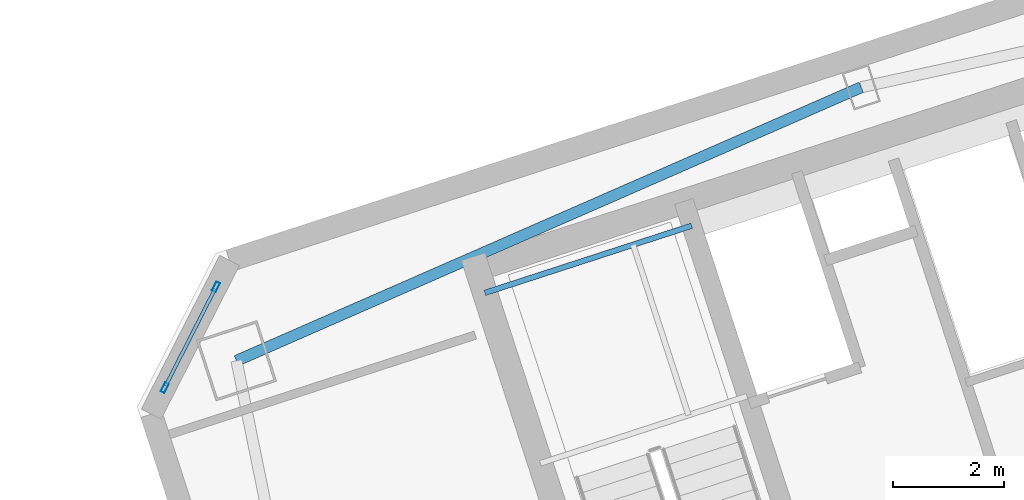
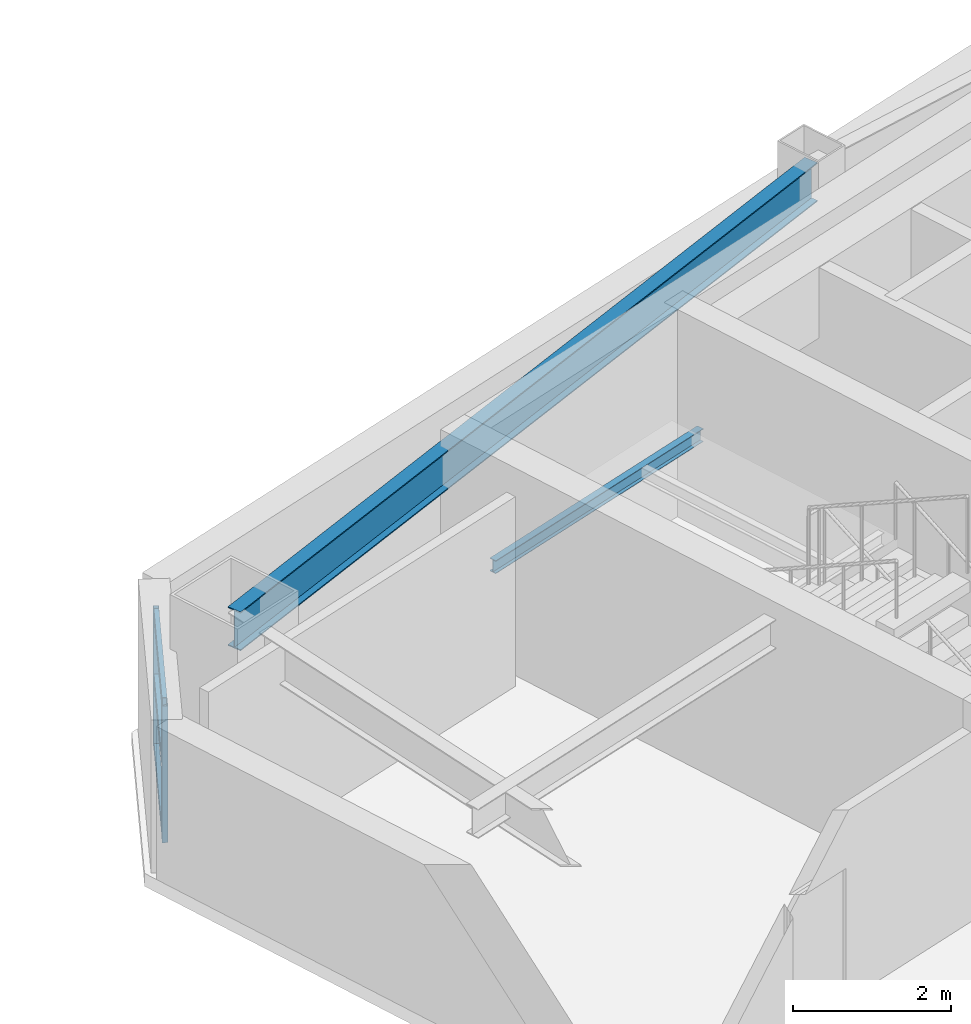
# One storey, part 8 of 20: 5 members, 2 beams, 1 element without a shape of its own.
"""IFC4 building model written with IfcOpenShell, lengths in metres."""

from ifc_helpers import new_model, si_unit, direction, frame, origin, origin_2d, place, context, subcontext, project, spatial, hollow_rectangle, i_section, extrude, material, layer, layer_set, material_profile, profile_set, type_object, element, aggregate, save


model = new_model("IFC4")

# Units and contexts
model_context = context("Model", 3, precision=1e-05, world=origin(), true_north=direction((0.0, 1.0)))
body_context = subcontext(model_context, "Body", "Model", "MODEL_VIEW")
ifc_project = project(units=[si_unit("LENGTHUNIT", "METRE"), si_unit("AREAUNIT", "SQUARE_METRE"), si_unit("VOLUMEUNIT", "CUBIC_METRE"), si_unit("PLANEANGLEUNIT", "RADIAN"), si_unit("MASSUNIT", "GRAM", prefix="KILO")], contexts=[model_context])

# Site, building, storey
site_placement = place(None, origin())
site = spatial("IfcSite", under=ifc_project, at=site_placement, CompositionType="ELEMENT")
building_placement = place(site_placement, origin())
building = spatial("IfcBuilding", under=site, at=building_placement, Name="Qiaolan Cultural Towers", CompositionType="ELEMENT")
storey_placement = place(building_placement, frame((0.0, 0.0, 244.0)))
storey = spatial("IfcBuildingStorey", under=building, at=storey_placement, Name="L66", CompositionType="ELEMENT", Elevation=244.0)

# Beams
ifc_material_1 = material(Name="Steel Q355B", Category="steel")
ifc_material_profile_1 = material_profile(ifc_material_1, i_section(OverallWidth=0.199951171875, OverallDepth=0.60009765625, WebThickness=0.010986328125, FlangeThickness=0.01708984375, at=origin_2d()), Name="HN600x200x11x17")
ifc_profile_set_1 = profile_set([ifc_material_profile_1], Name="Steel Q355B")
beam_type_1 = type_object("IfcBeamType", Name="BM-SPD-HN600x200x11x17", PredefinedType="SPANDREL", material=ifc_profile_set_1)
beam_1_placement = place(storey_placement, frame((83.556884765625, 53.82958984375, 2.639892578125), z_axis=(-0.916042038824, -0.401082264762, 0.0), x_axis=(0.401082264762, -0.916042038824, 0.0)))
element("IfcBeam", 1, at=beam_1_placement, inside=storey, type_object=beam_type_1, Name="L66 T2 Perimeter Spandrel Beam 8", PredefinedType="SPANDREL", context=body_context, shape_type="SweptSolid", body=[
    extrude(i_section(OverallWidth=0.199951171875, OverallDepth=0.60009765625, WebThickness=0.010986328125, FlangeThickness=0.01708984375, at=origin_2d()), origin(), (0.0, 0.0, 1.0), 12.299560546875),
])
ifc_material_2 = material(Name="Steel Q355B", Category="steel")
ifc_material_profile_2 = material_profile(ifc_material_2, i_section(OverallWidth=0.10009765625, OverallDepth=0.199951171875, WebThickness=0.005615234375, FlangeThickness=0.008056640625, at=origin_2d()), Name="HN200x100x5.5x8")
ifc_profile_set_2 = profile_set([ifc_material_profile_2], Name="Steel Q355B")
beam_type_2 = type_object("IfcBeamType", Name="BM-STTRIM-200", PredefinedType="BEAM", material=ifc_profile_set_2)
beam_2_placement = place(storey_placement, frame((76.770751953125, 50.12109375, 1.300048828125), z_axis=(0.951072048947, 0.3089691857, 0.0), x_axis=(-0.3089691857, 0.951072048947, 0.0)))
element("IfcBeam", 2, at=beam_2_placement, inside=storey, type_object=beam_type_2, Name="L66 ST-E2 Stair Landing Support Beam 1-2", PredefinedType="BEAM", context=body_context, shape_type="SweptSolid", body=[
    extrude(i_section(OverallWidth=0.10009765625, OverallDepth=0.199951171875, WebThickness=0.005615234375, FlangeThickness=0.008056640625, at=origin_2d()), origin(), (0.0, 0.0, 1.0), 3.920166015625),
])

# Curtain wall, members
ifc_material_3 = material(Name="Unitized Anodized Aluminium Curtain Wall System", Category="aluminium")
ifc_layer = layer(ifc_material_3, 0.199951171875)
ifc_layer_set = layer_set([ifc_layer], Name="Unitized Anodized Aluminium Curtain Wall System")
curtain_wall_type = type_object("IfcCurtainWallType", Name="CWS-05", PredefinedType="NOTDEFINED", material=ifc_layer_set)
curtain_wall_placement = place(storey_placement, origin())
curtain_wall = element("IfcCurtainWall", 3, at=curtain_wall_placement, inside=storey, type_object=curtain_wall_type, Name="L66 T2 Chamfer Wind-Corner Feature Curtain Wall 1", PredefinedType="NOTDEFINED")
ifc_material_4 = material(Name="Extruded Aluminium 6063-T6", Category="aluminium")
ifc_material_profile_3 = material_profile(ifc_material_4, hollow_rectangle(XDim=0.074951171875, YDim=0.179931640625, WallThickness=0.00390625, at=origin_2d()), Name="CWM-180x75x4")
ifc_profile_set_3 = profile_set([ifc_material_profile_3], Name="Extruded Aluminium 6063-T6")
member_type_1 = type_object("IfcMemberType", Name="CWS-05-MUL", PredefinedType="MULLION", material=ifc_profile_set_3)
member_1_placement = place(storey_placement, frame((70.9951171875, 48.410888671875, 0.14990234375), z_axis=(0.0, 0.0, 1.0), x_axis=(-0.89100655078, 0.45399044755, 0.0)))
member_1 = element("IfcMember", 4, at=member_1_placement, type_object=member_type_1, Name="CW-5 mullion 1", PredefinedType="MULLION", context=body_context, shape_type="SweptSolid", body=[
    extrude(hollow_rectangle(XDim=0.074951171875, YDim=0.179931640625, WallThickness=0.00390625, at=origin_2d()), origin(), (0.0, 0.0, 1.0), 2.110107421875),
])
member_2_placement = place(storey_placement, frame((71.921630859375, 50.229248046875, 0.14990234375), z_axis=(0.0, 0.0, 1.0), x_axis=(-0.89100655078, 0.45399044755, 0.0)))
member_2 = element("IfcMember", 5, at=member_2_placement, type_object=member_type_1, Name="CW-5 mullion 2", PredefinedType="MULLION", context=body_context, shape_type="SweptSolid", body=[
    extrude(hollow_rectangle(XDim=0.074951171875, YDim=0.179931640625, WallThickness=0.00390625, at=origin_2d()), origin(), (0.0, 0.0, 1.0), 2.110107421875),
])
ifc_material_5 = material(Name="Extruded Aluminium 6063-T6", Category="aluminium")
ifc_material_profile_4 = material_profile(ifc_material_5, hollow_rectangle(XDim=0.06494140625, YDim=0.14990234375, WallThickness=0.00390625, at=origin_2d()), Name="CWT-150x65x4")
ifc_profile_set_4 = profile_set([ifc_material_profile_4], Name="Extruded Aluminium 6063-T6")
member_type_2 = type_object("IfcMemberType", Name="CWS-05-TRN", PredefinedType="USERDEFINED", material=ifc_profile_set_4)
member_3_placement = place(storey_placement, frame((71.01220703125, 48.4443359375, 0.1826171875), z_axis=(0.453957410805, 0.891023383069, 0.0), x_axis=(-0.891023383069, 0.453957410805, 0.0)))
member_3 = element("IfcMember", 6, at=member_3_placement, type_object=member_type_2, Name="CW-5 transom 1.1", ObjectType="TRANSOM", PredefinedType="USERDEFINED", context=body_context, shape_type="SweptSolid", body=[
    extrude(hollow_rectangle(XDim=0.06494140625, YDim=0.14990234375, WallThickness=0.00390625, at=origin_2d()), origin(), (0.0, 0.0, 1.0), 1.965576171875),
])
member_4_placement = place(storey_placement, frame((71.01220703125, 48.4443359375, 1.25), z_axis=(0.453957410805, 0.891023383069, 0.0), x_axis=(-0.891023383069, 0.453957410805, 0.0)))
member_4 = element("IfcMember", 7, at=member_4_placement, type_object=member_type_2, Name="CW-5 transom 1.2", ObjectType="TRANSOM", PredefinedType="USERDEFINED", context=body_context, shape_type="SweptSolid", body=[
    extrude(hollow_rectangle(XDim=0.06494140625, YDim=0.14990234375, WallThickness=0.00390625, at=origin_2d()), origin(), (0.0, 0.0, 1.0), 1.965576171875),
])
member_5_placement = place(storey_placement, frame((71.01220703125, 48.4443359375, 2.2275390625), z_axis=(0.453957410805, 0.891023383069, 0.0), x_axis=(-0.891023383069, 0.453957410805, 0.0)))
member_5 = element("IfcMember", 8, at=member_5_placement, type_object=member_type_2, Name="CW-5 transom 1.3", ObjectType="TRANSOM", PredefinedType="USERDEFINED", context=body_context, shape_type="SweptSolid", body=[
    extrude(hollow_rectangle(XDim=0.06494140625, YDim=0.14990234375, WallThickness=0.00390625, at=origin_2d()), origin(), (0.0, 0.0, 1.0), 1.965576171875),
])
aggregate(curtain_wall, [member_1, member_2, member_3, member_4, member_5])

save(model, "model.ifc")
